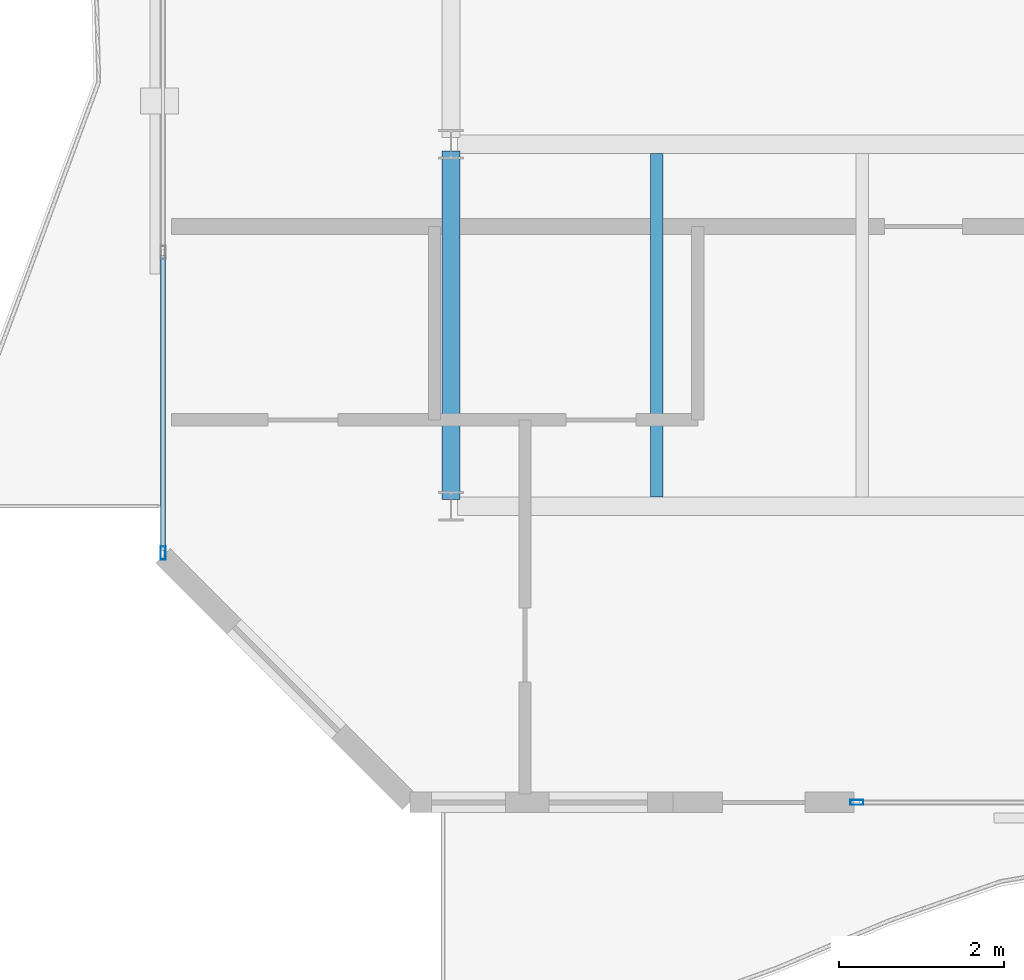
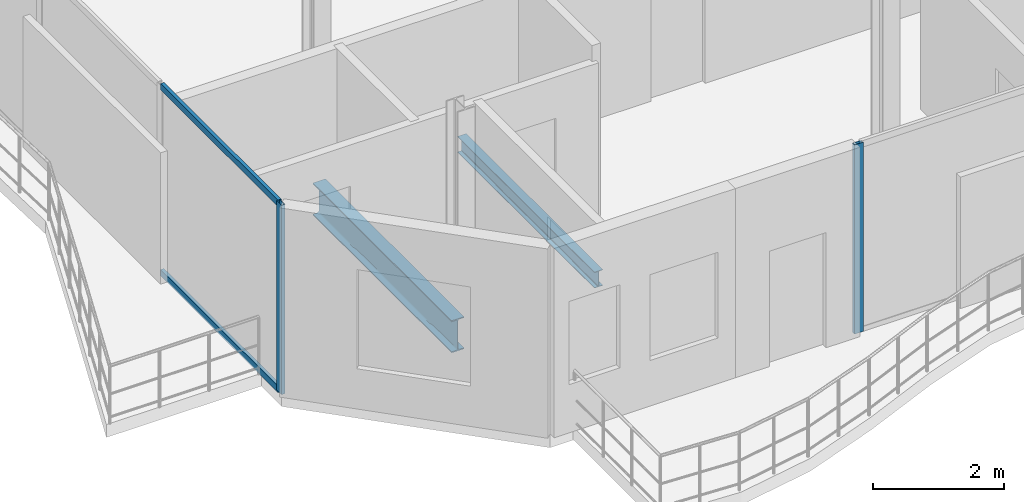
# One storey, part 3 of 22: 4 members, 2 beams, 2 elements without a shape of their own.
"""IFC4 building model written with IfcOpenShell, lengths in metres."""

from ifc_helpers import new_model, si_unit, direction, frame, origin, origin_2d, place, context, subcontext, project, spatial, hollow_rectangle, i_section, extrude, material, layer, layer_set, material_profile, profile_set, type_object, element, aggregate, save


model = new_model("IFC4")

# Units and contexts
model_context = context("Model", 3, precision=1e-05, world=origin(), true_north=direction((0.0, 1.0)))
body_context = subcontext(model_context, "Body", "Model", "MODEL_VIEW")
ifc_project = project(units=[si_unit("LENGTHUNIT", "METRE"), si_unit("AREAUNIT", "SQUARE_METRE"), si_unit("VOLUMEUNIT", "CUBIC_METRE"), si_unit("PLANEANGLEUNIT", "RADIAN"), si_unit("MASSUNIT", "GRAM", prefix="KILO")], contexts=[model_context])

# Site, building, storey
site_placement = place(None, origin())
site = spatial("IfcSite", under=ifc_project, at=site_placement, CompositionType="ELEMENT")
building_placement = place(site_placement, origin())
building = spatial("IfcBuilding", under=site, at=building_placement, Name="Catumbela Crestline Tower", CompositionType="ELEMENT")
storey_placement = place(building_placement, frame((0.0, 0.0, 233.6)))
storey = spatial("IfcBuildingStorey", under=building, at=storey_placement, Name="L60", CompositionType="ELEMENT", Elevation=233.6)

# Beams
ifc_material_1 = material(Name="Structural steel S355J2", Category="steel")
ifc_material_profile_1 = material_profile(ifc_material_1, i_section(OverallWidth=0.22, OverallDepth=0.6, WebThickness=0.012, FlangeThickness=0.019, FilletRadius=0.024, at=origin_2d()), Name="IPE 600")
ifc_profile_set_1 = profile_set([ifc_material_profile_1], Name="Structural steel S355J2")
beam_type_1 = type_object("IfcBeamType", Name="BG-IPE600", PredefinedType="BEAM", material=ifc_profile_set_1)
beam_1_placement = place(storey_placement, frame((8.5, 13.68, -0.56), z_axis=(0.0, 1.0, 0.0), x_axis=(-1.0, 0.0, 0.0)))
element("IfcBeam", 1, at=beam_1_placement, inside=storey, type_object=beam_type_1, Name="L60 Beam BM-L60-WNS31", PredefinedType="BEAM", context=body_context, shape_type="SweptSolid", body=[
    extrude(i_section(OverallWidth=0.22, OverallDepth=0.6, WebThickness=0.012, FlangeThickness=0.019, FilletRadius=0.024, at=origin_2d()), origin(), (0.0, 0.0, 1.0), 4.24),
])
ifc_material_profile_2 = material_profile(ifc_material_1, i_section(OverallWidth=0.15, OverallDepth=0.3, WebThickness=0.0071, FlangeThickness=0.0107, FilletRadius=0.015, at=origin_2d()), Name="IPE 300")
ifc_profile_set_2 = profile_set([ifc_material_profile_2], Name="Structural steel S355J2")
beam_type_2 = type_object("IfcBeamType", Name="BJ-IPE300", PredefinedType="JOIST", material=ifc_profile_set_2)
beam_2_placement = place(storey_placement, frame((11.0, 13.71, -0.41), z_axis=(0.0, 1.0, 0.0), x_axis=(-1.0, 0.0, 0.0)))
element("IfcBeam", 2, at=beam_2_placement, inside=storey, type_object=beam_type_2, Name="L60 Joist JS-L60-WG36", PredefinedType="JOIST", context=body_context, shape_type="SweptSolid", body=[
    extrude(i_section(OverallWidth=0.15, OverallDepth=0.3, WebThickness=0.0071, FlangeThickness=0.0107, FilletRadius=0.015, at=origin_2d()), origin(), (0.0, 0.0, 1.0), 4.18),
])

# Curtain wall, member
ifc_material_2 = material(Name="Aluminium alloy AW-6060-T66", Category="aluminium")
ifc_layer = layer(ifc_material_2, 0.18, Name="Aluminium alloy AW-6060-T66")
ifc_layer_set = layer_set([ifc_layer], Name="Aluminium alloy AW-6060-T66")
curtain_wall_type = type_object("IfcCurtainWallType", Name="CWU-Z4", PredefinedType="USERDEFINED", material=ifc_layer_set)
curtain_wall_1_placement = place(storey_placement, origin())
curtain_wall_1 = element("IfcCurtainWall", 3, at=curtain_wall_1_placement, inside=storey, type_object=curtain_wall_type, Name="L60 Unitised Curtain Wall CW-L60-E0S2", ObjectType="UNITISED", PredefinedType="USERDEFINED")
ifc_material_profile_3 = material_profile(ifc_material_2, hollow_rectangle(XDim=0.06, YDim=0.16, WallThickness=0.004, at=origin_2d()), Name="ALU 160x60x4")
ifc_profile_set_3 = profile_set([ifc_material_profile_3], Name="Aluminium alloy AW-6060-T66")
member_type_1 = type_object("IfcMemberType", Name="MUL-160X60", PredefinedType="MULLION", material=ifc_profile_set_3)
member_1_placement = place(storey_placement, frame((13.4325, 10.0, 0.0), z_axis=(0.0, 0.0, 1.0), x_axis=(0.0, 1.0, 0.0)))
member_1 = element("IfcMember", 4, at=member_1_placement, type_object=member_type_1, Name="CWU-Z4 mullion 1", PredefinedType="MULLION", context=body_context, shape_type="SweptSolid", body=[
    extrude(hollow_rectangle(XDim=0.06, YDim=0.16, WallThickness=0.004, at=origin_2d()), origin(), (0.0, 0.0, 1.0), 3.53),
])
aggregate(curtain_wall_1, [member_1])

# Curtain wall, members
curtain_wall_2_placement = place(storey_placement, origin())
curtain_wall_2 = element("IfcCurtainWall", 5, at=curtain_wall_2_placement, inside=storey, type_object=curtain_wall_type, Name="L60 Unitised Curtain Wall CW-L60-E9S2", ObjectType="UNITISED", PredefinedType="USERDEFINED")
member_2_placement = place(storey_placement, frame((5.0, 13.0325, 0.0), z_axis=(0.0, 0.0, 1.0), x_axis=(1.0, 0.0, 0.0)))
member_2 = element("IfcMember", 6, at=member_2_placement, type_object=member_type_1, Name="CWU-Z4 mullion 7", PredefinedType="MULLION", context=body_context, shape_type="SweptSolid", body=[
    extrude(hollow_rectangle(XDim=0.06, YDim=0.16, WallThickness=0.004, at=origin_2d()), origin(), (0.0, 0.0, 1.0), 3.53),
])
ifc_material_profile_4 = material_profile(ifc_material_2, hollow_rectangle(XDim=0.06, YDim=0.12, WallThickness=0.0035, at=origin_2d()), Name="ALU 120x60x3.5")
ifc_profile_set_4 = profile_set([ifc_material_profile_4], Name="Aluminium alloy AW-6060-T66")
member_type_2 = type_object("IfcMemberType", Name="TRN-120X60", PredefinedType="USERDEFINED", material=ifc_profile_set_4)
member_3_placement = place(storey_placement, frame((5.0, 16.6508, 0.03), z_axis=(0.0, -1.0, 0.0), x_axis=(1.0, 0.0, 0.0)))
member_3 = element("IfcMember", 7, at=member_3_placement, type_object=member_type_2, Name="CWU-Z4 transom 6.1", ObjectType="TRANSOM", PredefinedType="USERDEFINED", context=body_context, shape_type="SweptSolid", body=[
    extrude(hollow_rectangle(XDim=0.06, YDim=0.12, WallThickness=0.0035, at=origin_2d()), origin(), (0.0, 0.0, 1.0), 3.5858),
])
member_4_placement = place(storey_placement, frame((5.0, 16.6508, 3.5), z_axis=(0.0, -1.0, 0.0), x_axis=(1.0, 0.0, 0.0)))
member_4 = element("IfcMember", 8, at=member_4_placement, type_object=member_type_2, Name="CWU-Z4 transom 6.2", ObjectType="TRANSOM", PredefinedType="USERDEFINED", context=body_context, shape_type="SweptSolid", body=[
    extrude(hollow_rectangle(XDim=0.06, YDim=0.12, WallThickness=0.0035, at=origin_2d()), origin(), (0.0, 0.0, 1.0), 3.5858),
])
aggregate(curtain_wall_2, [member_2, member_3, member_4])

save(model, "model.ifc")
